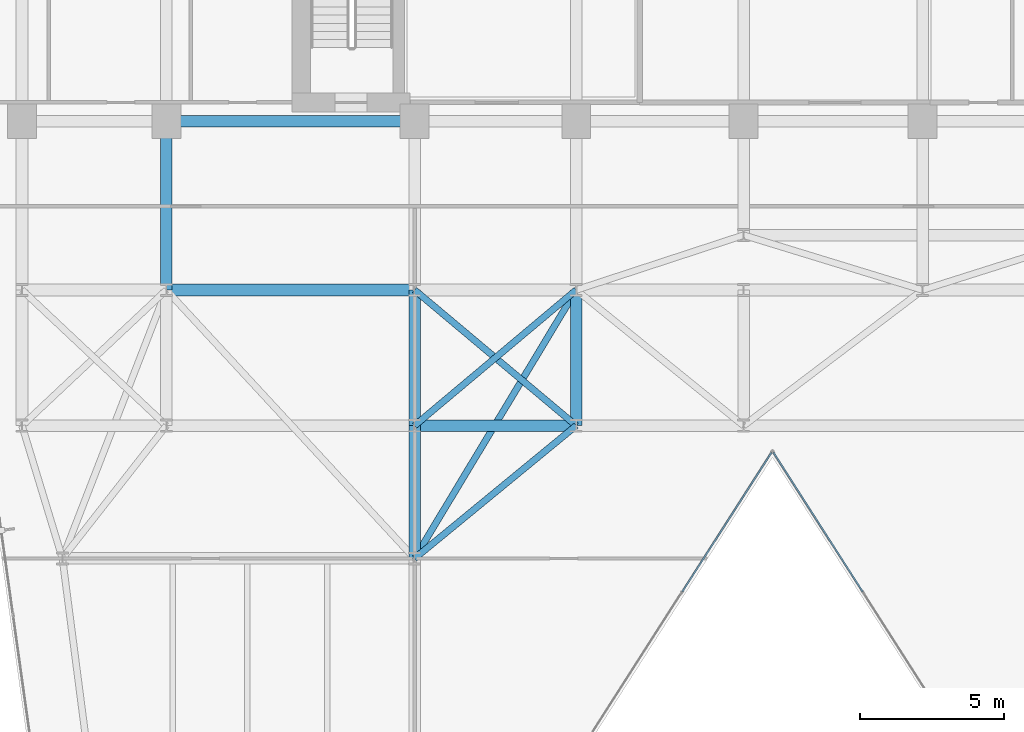
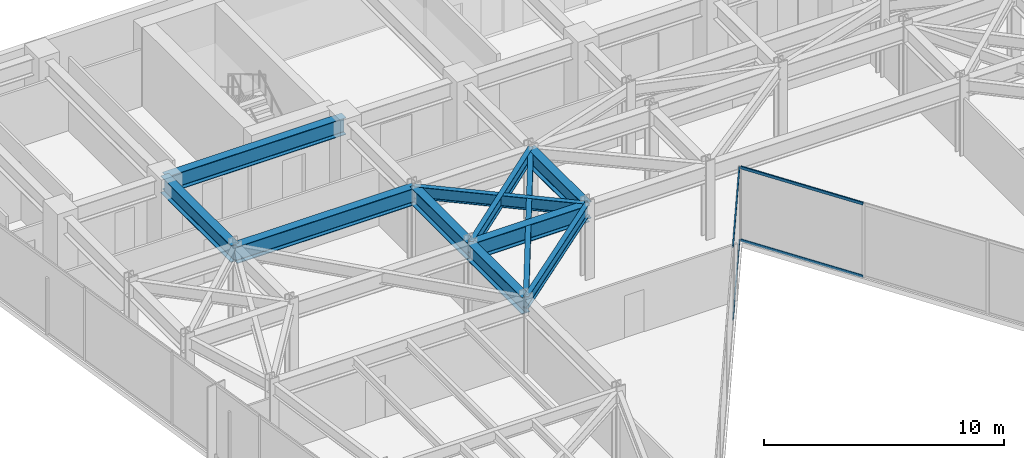
# One storey, part 12 of 26: 11 beams, 4 members, 2 elements without a shape of their own.
"""IFC4 building model written with IfcOpenShell, lengths in metres."""

from ifc_helpers import new_model, si_unit, direction, frame, origin, origin_2d, place, context, subcontext, project, spatial, hollow_rectangle, i_section, extrude, material, layer, layer_set, material_profile, profile_set, type_object, element, aggregate, save


model = new_model("IFC4")

# Units and contexts
model_context = context("Model", 3, precision=1e-05, world=origin(), true_north=direction((0.0, 1.0)))
body_context = subcontext(model_context, "Body", "Model", "MODEL_VIEW")
ifc_project = project(units=[si_unit("LENGTHUNIT", "METRE"), si_unit("AREAUNIT", "SQUARE_METRE"), si_unit("VOLUMEUNIT", "CUBIC_METRE"), si_unit("PLANEANGLEUNIT", "RADIAN"), si_unit("MASSUNIT", "GRAM", prefix="KILO")], contexts=[model_context])

# Site, building, storey
site_placement = place(None, origin())
site = spatial("IfcSite", under=ifc_project, at=site_placement, CompositionType="ELEMENT")
building_placement = place(site_placement, origin())
building = spatial("IfcBuilding", under=site, at=building_placement, Name="Kravanh Interchange Tower", CompositionType="ELEMENT")
storey_placement = place(building_placement, frame((0.0, 0.0, 148.0)))
storey = spatial("IfcBuildingStorey", under=building, at=storey_placement, Name="L35", CompositionType="ELEMENT", Elevation=148.0)

# Curtain wall, members
ifc_material_1 = material(Name="Anodised Bronze Aluminium", Category="aluminium")
ifc_layer = layer(ifc_material_1, 0.179931640625)
ifc_layer_set = layer_set([ifc_layer], Name="Unitised Curtain Wall System CW-Z2 Mid Office")
curtain_wall_type = type_object("IfcCurtainWallType", Name="Unitised Curtain Wall System CW-Z2 Mid Office", PredefinedType="NOTDEFINED", material=ifc_layer_set)
curtain_wall_1_placement = place(storey_placement, origin())
curtain_wall_1 = element("IfcCurtainWall", 1, at=curtain_wall_1_placement, inside=storey, type_object=curtain_wall_type, Name="L35 Unitised Curtain Wall CW-L35-04", PredefinedType="NOTDEFINED")
ifc_material_2 = material(Name="Anodised Bronze Aluminium", Category="aluminium")
ifc_material_profile_1 = material_profile(ifc_material_2, hollow_rectangle(XDim=0.06005859375, YDim=0.139892578125, WallThickness=0.00390625, at=origin_2d()), Name="ALU60X140X4")
ifc_profile_set_1 = profile_set([ifc_material_profile_1], Name="Anodised Bronze Aluminium")
member_type = type_object("IfcMemberType", Name="Curtain Wall Transom ALU60X140X4 Bronze", PredefinedType="USERDEFINED", material=ifc_profile_set_1)
member_1_placement = place(storey_placement, frame((42.72509765625, 21.047119140625, 0.030029296875), z_axis=(-0.53966766312, 0.841878146398, 0.0), x_axis=(-0.841878146398, -0.53966766312, 0.0)))
member_1 = element("IfcMember", 2, at=member_1_placement, type_object=member_type, Name="CW-Z2 transom 4.1", ObjectType="TRANSOM", PredefinedType="USERDEFINED", context=body_context, shape_type="SweptSolid", body=[
    extrude(hollow_rectangle(XDim=0.06005859375, YDim=0.139892578125, WallThickness=0.00390625, at=origin_2d()), origin(), (0.0, 0.0, 1.0), 5.73095703125),
])
member_2_placement = place(storey_placement, frame((42.72509765625, 21.047119140625, 3.719970703125), z_axis=(-0.53966766312, 0.841878146398, 0.0), x_axis=(-0.841878146398, -0.53966766312, 0.0)))
member_2 = element("IfcMember", 3, at=member_2_placement, type_object=member_type, Name="CW-Z2 transom 4.2", ObjectType="TRANSOM", PredefinedType="USERDEFINED", context=body_context, shape_type="SweptSolid", body=[
    extrude(hollow_rectangle(XDim=0.06005859375, YDim=0.139892578125, WallThickness=0.00390625, at=origin_2d()), origin(), (0.0, 0.0, 1.0), 5.73095703125),
])
aggregate(curtain_wall_1, [member_1, member_2])

curtain_wall_2_placement = place(storey_placement, origin())
curtain_wall_2 = element("IfcCurtainWall", 4, at=curtain_wall_2_placement, inside=storey, type_object=curtain_wall_type, Name="L35 Unitised Curtain Wall CW-L35-05", PredefinedType="NOTDEFINED")
member_3_placement = place(storey_placement, frame((39.567626953125, 25.871826171875, 0.030029296875), z_axis=(-0.53966766312, -0.841878146398, 0.0), x_axis=(0.841878146398, -0.53966766312, 0.0)))
member_3 = element("IfcMember", 5, at=member_3_placement, type_object=member_type, Name="CW-Z2 transom 1.1", ObjectType="TRANSOM", PredefinedType="USERDEFINED", context=body_context, shape_type="SweptSolid", body=[
    extrude(hollow_rectangle(XDim=0.06005859375, YDim=0.139892578125, WallThickness=0.00390625, at=origin_2d()), origin(), (0.0, 0.0, 1.0), 5.73095703125),
])
member_4_placement = place(storey_placement, frame((39.567626953125, 25.871826171875, 3.719970703125), z_axis=(-0.53966766312, -0.841878146398, 0.0), x_axis=(0.841878146398, -0.53966766312, 0.0)))
member_4 = element("IfcMember", 6, at=member_4_placement, type_object=member_type, Name="CW-Z2 transom 1.2", ObjectType="TRANSOM", PredefinedType="USERDEFINED", context=body_context, shape_type="SweptSolid", body=[
    extrude(hollow_rectangle(XDim=0.06005859375, YDim=0.139892578125, WallThickness=0.00390625, at=origin_2d()), origin(), (0.0, 0.0, 1.0), 5.73095703125),
])
aggregate(curtain_wall_2, [member_3, member_4])

# Beams
ifc_material_3 = material(Name="Structural Steel S355", Category="steel")
ifc_material_profile_2 = material_profile(ifc_material_3, i_section(OverallWidth=0.39990234375, OverallDepth=0.85595703125, WebThickness=0.018310546875, FlangeThickness=0.029296875, FilletRadius=0.02490234375, at=origin_2d()), Name="W33X201")
ifc_profile_set_2 = profile_set([ifc_material_profile_2], Name="Structural Steel S355")
beam_type_1 = type_object("IfcBeamType", Name="Floor Beam W33X201 Structural Steel S355", PredefinedType="BEAM", material=ifc_profile_set_2)
beam_1_placement = place(storey_placement, frame((27.199951171875, 37.35009765625, 3.322021484375), z_axis=(-1.0, 0.0, 0.0), x_axis=(0.0, -1.0, 0.0)))
element("IfcBeam", 7, at=beam_1_placement, inside=storey, type_object=beam_type_1, Name="L35 Primary Floor Girder 25", PredefinedType="BEAM", context=body_context, shape_type="SweptSolid", body=[
    extrude(i_section(OverallWidth=0.39990234375, OverallDepth=0.85595703125, WebThickness=0.018310546875, FlangeThickness=0.029296875, FilletRadius=0.02490234375, at=origin_2d()), origin(), (0.0, 0.0, 1.0), 8.599853515625),
])
beam_2_placement = place(storey_placement, frame((18.60009765625, 37.35009765625, 3.322021484375), z_axis=(0.0, -1.0, 0.0), x_axis=(1.0, 0.0, 0.0)))
element("IfcBeam", 8, at=beam_2_placement, inside=storey, type_object=beam_type_1, Name="L35 Primary Floor Girder 29", PredefinedType="BEAM", context=body_context, shape_type="SweptSolid", body=[
    extrude(i_section(OverallWidth=0.39990234375, OverallDepth=0.85595703125, WebThickness=0.018310546875, FlangeThickness=0.029296875, FilletRadius=0.02490234375, at=origin_2d()), origin(), (0.0, 0.0, 1.0), 5.85009765625),
])
beam_3_placement = place(storey_placement, frame((27.199951171875, 26.800048828125, 3.322021484375), z_axis=(0.0, -1.0, 0.0), x_axis=(1.0, 0.0, 0.0)))
element("IfcBeam", 9, at=beam_3_placement, inside=storey, type_object=beam_type_1, Name="L35 Primary Floor Girder 45", PredefinedType="BEAM", context=body_context, shape_type="SweptSolid", body=[
    extrude(i_section(OverallWidth=0.39990234375, OverallDepth=0.85595703125, WebThickness=0.018310546875, FlangeThickness=0.029296875, FilletRadius=0.02490234375, at=origin_2d()), origin(), (0.0, 0.0, 1.0), 4.60009765625),
])
beam_4_placement = place(storey_placement, frame((27.199951171875, 26.800048828125, 3.322021484375), z_axis=(0.0, 1.0, 0.0), x_axis=(-1.0, 0.0, 0.0)))
element("IfcBeam", 10, at=beam_4_placement, inside=storey, type_object=beam_type_1, Name="L35 Primary Floor Girder 46", PredefinedType="BEAM", context=body_context, shape_type="SweptSolid", body=[
    extrude(i_section(OverallWidth=0.39990234375, OverallDepth=0.85595703125, WebThickness=0.018310546875, FlangeThickness=0.029296875, FilletRadius=0.02490234375, at=origin_2d()), origin(), (0.0, 0.0, 1.0), 4.699951171875),
])
beam_5_placement = place(storey_placement, frame((27.199951171875, 26.800048828125, 3.322021484375), z_axis=(1.0, 0.0, 0.0), x_axis=(0.0, 1.0, 0.0)))
element("IfcBeam", 11, at=beam_5_placement, inside=storey, type_object=beam_type_1, Name="L35 Primary Floor Girder 47", PredefinedType="BEAM", context=body_context, shape_type="SweptSolid", body=[
    extrude(i_section(OverallWidth=0.39990234375, OverallDepth=0.85595703125, WebThickness=0.018310546875, FlangeThickness=0.029296875, FilletRadius=0.02490234375, at=origin_2d()), origin(), (0.0, 0.0, 1.0), 5.60009765625),
])
beam_6_placement = place(storey_placement, frame((32.800048828125, 26.800048828125, 3.322021484375), z_axis=(0.0, 1.0, 0.0), x_axis=(-1.0, 0.0, 0.0)))
element("IfcBeam", 12, at=beam_6_placement, inside=storey, type_object=beam_type_1, Name="L35 Primary Floor Girder 49", PredefinedType="BEAM", context=body_context, shape_type="SweptSolid", body=[
    extrude(i_section(OverallWidth=0.39990234375, OverallDepth=0.85595703125, WebThickness=0.018310546875, FlangeThickness=0.029296875, FilletRadius=0.02490234375, at=origin_2d()), origin(), (0.0, 0.0, 1.0), 4.699951171875),
])
beam_7_placement = place(storey_placement, frame((18.60009765625, 31.5, 3.322021484375), z_axis=(1.0, 0.0, 0.0), x_axis=(0.0, 1.0, 0.0)))
element("IfcBeam", 13, at=beam_7_placement, inside=storey, type_object=beam_type_1, Name="L35 Primary Floor Girder 71", PredefinedType="BEAM", context=body_context, shape_type="SweptSolid", body=[
    extrude(i_section(OverallWidth=0.39990234375, OverallDepth=0.85595703125, WebThickness=0.018310546875, FlangeThickness=0.029296875, FilletRadius=0.02490234375, at=origin_2d()), origin(), (0.0, 0.0, 1.0), 8.599853515625),
])
ifc_material_4 = material(Name="Structural Steel S355", Category="steel")
ifc_material_profile_3 = material_profile(ifc_material_4, i_section(OverallWidth=0.22802734375, OverallDepth=0.60791015625, WebThickness=0.01123046875, FlangeThickness=0.017333984375, FilletRadius=0.02197265625, at=origin_2d()), Name="W24X76")
ifc_profile_set_3 = profile_set([ifc_material_profile_3], Name="Structural Steel S355")
beam_type_2 = type_object("IfcBeamType", Name="Floor Spandrel W24X76 Structural Steel S355", PredefinedType="SPANDREL", material=ifc_profile_set_3)
beam_8_placement = place(storey_placement, frame((27.199951171875, 26.800048828125, 3.446044921875), z_axis=(0.765983062929, 0.642860752657, 0.0), x_axis=(-0.642860752657, 0.765983062929, 0.0)))
element("IfcBeam", 14, at=beam_8_placement, inside=storey, type_object=beam_type_2, Name="L35 Perimeter Spandrel 48", PredefinedType="SPANDREL", context=body_context, shape_type="SweptSolid", body=[
    extrude(i_section(OverallWidth=0.22802734375, OverallDepth=0.60791015625, WebThickness=0.01123046875, FlangeThickness=0.017333984375, FilletRadius=0.02197265625, at=origin_2d()), origin(), (0.0, 0.0, 1.0), 7.31103515625),
])
beam_9_placement = place(storey_placement, frame((32.800048828125, 26.800048828125, 3.446044921875), z_axis=(-0.772725074305, -0.634740860147, 0.0), x_axis=(0.634740860147, -0.772725074305, 0.0)))
element("IfcBeam", 15, at=beam_9_placement, inside=storey, type_object=beam_type_2, Name="L35 Perimeter Spandrel 51", PredefinedType="SPANDREL", context=body_context, shape_type="SweptSolid", body=[
    extrude(i_section(OverallWidth=0.22802734375, OverallDepth=0.60791015625, WebThickness=0.01123046875, FlangeThickness=0.017333984375, FilletRadius=0.02197265625, at=origin_2d()), origin(), (0.0, 0.0, 1.0), 7.247314453125),
])
beam_10_placement = place(storey_placement, frame((32.800048828125, 26.800048828125, 3.446044921875), z_axis=(-0.765983062929, 0.642860752657, 0.0), x_axis=(-0.642860752657, -0.765983062929, 0.0)))
element("IfcBeam", 16, at=beam_10_placement, inside=storey, type_object=beam_type_2, Name="L35 Perimeter Spandrel 52", PredefinedType="SPANDREL", context=body_context, shape_type="SweptSolid", body=[
    extrude(i_section(OverallWidth=0.22802734375, OverallDepth=0.60791015625, WebThickness=0.01123046875, FlangeThickness=0.017333984375, FilletRadius=0.02197265625, at=origin_2d()), origin(), (0.0, 0.0, 1.0), 7.31103515625),
])
beam_11_placement = place(storey_placement, frame((32.800048828125, 31.5, 3.446044921875), z_axis=(-0.515854375109, -0.856676288735, 0.0), x_axis=(0.856676288735, -0.515854375109, 0.0)))
element("IfcBeam", 17, at=beam_11_placement, inside=storey, type_object=beam_type_2, Name="L35 Perimeter Spandrel 80", PredefinedType="SPANDREL", context=body_context, shape_type="SweptSolid", body=[
    extrude(i_section(OverallWidth=0.22802734375, OverallDepth=0.60791015625, WebThickness=0.01123046875, FlangeThickness=0.017333984375, FilletRadius=0.02197265625, at=origin_2d()), origin(), (0.0, 0.0, 1.0), 10.85595703125),
])

save(model, "model.ifc")
